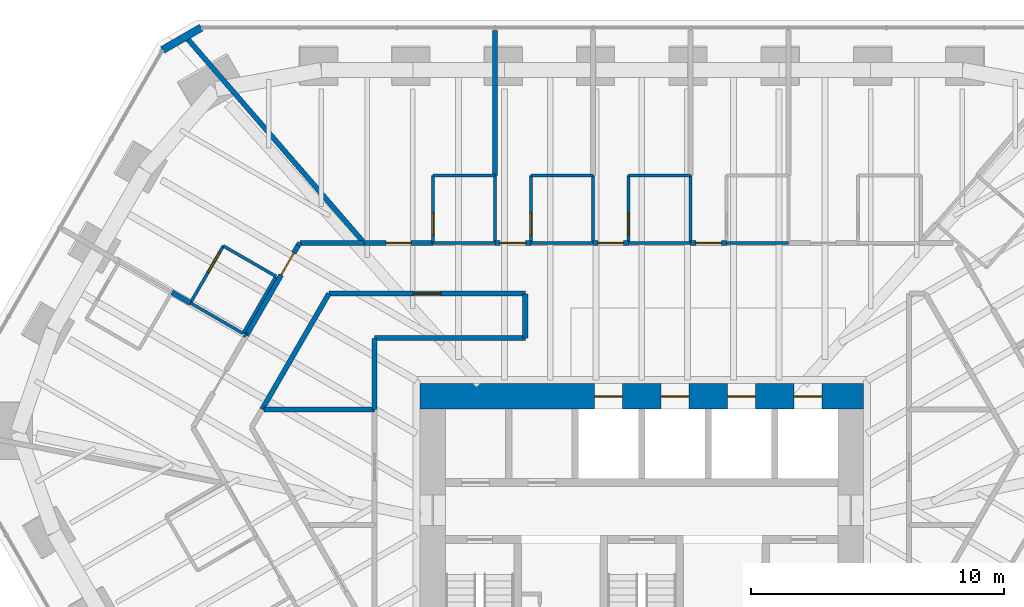
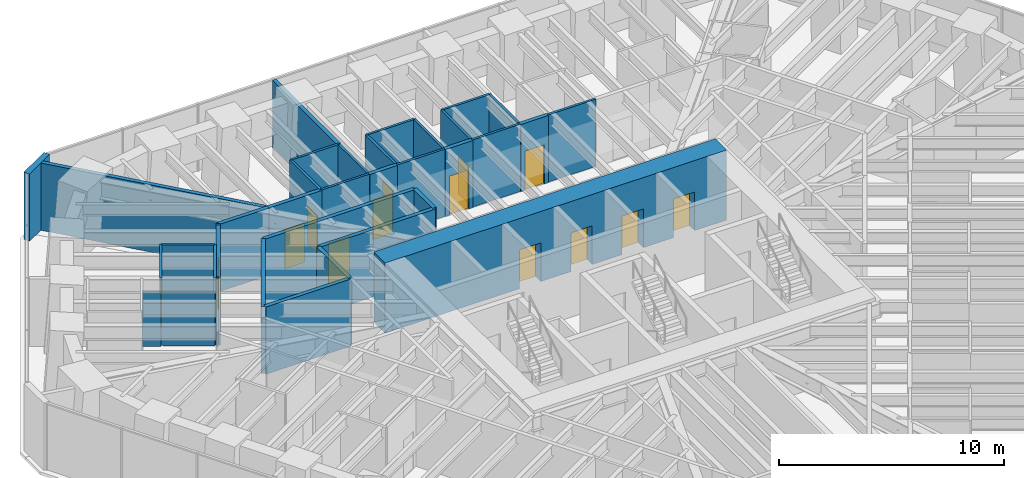
# One storey, part 15 of 17: 36 walls, 14 doors, 14 openings.
"""IFC4 building model written with IfcOpenShell, lengths in metres."""

from ifc_helpers import new_model, si_unit, direction, frame, frame_2d, origin, place, context, subcontext, project, spatial, rectangle, extrude, material, layer, layer_set, type_object, element, fill, save


model = new_model("IFC4")

# Units and contexts
model_context = context("Model", 3, precision=1e-05, world=origin(), true_north=direction((0.0, 1.0)))
body_context = subcontext(model_context, "Body", "Model", "MODEL_VIEW")
ifc_project = project(units=[si_unit("LENGTHUNIT", "METRE"), si_unit("AREAUNIT", "SQUARE_METRE"), si_unit("VOLUMEUNIT", "CUBIC_METRE"), si_unit("PLANEANGLEUNIT", "RADIAN"), si_unit("MASSUNIT", "GRAM", prefix="KILO")], contexts=[model_context])

# Site, building, storey
site_placement = place(None, origin())
site = spatial("IfcSite", under=ifc_project, at=site_placement, CompositionType="ELEMENT")
building_placement = place(site_placement, origin())
building = spatial("IfcBuilding", under=site, at=building_placement, Name="Sandreach Pilgrim Tower", CompositionType="ELEMENT")
storey_placement = place(building_placement, frame((0.0, 0.0, 236.39990234375)))
storey = spatial("IfcBuildingStorey", under=building, at=storey_placement, Name="L59", CompositionType="ELEMENT", Elevation=236.39990234375)

# Wall
ifc_material_1 = material(Name="Moisture-resistant gypsum board on steel studs", Category="steel")
ifc_layer_1 = layer(ifc_material_1, 0.1201171875)
ifc_layer_set_1 = layer_set([ifc_layer_1], Name="Bathroom partition 120")
wall_type_1 = type_object("IfcWallType", Name="Bathroom partition 120", PredefinedType="PARTITIONING", material=ifc_layer_set_1)
wall_1_placement = place(storey_placement, frame((-17.820068359375, 10.2900390625, 0.0), z_axis=(0.0, 0.0, 1.0), x_axis=(0.86531257009, -0.501232636652, 0.0)))
element("IfcWall", 1, at=wall_1_placement, inside=storey, type_object=wall_type_1, Name="Bathroom partition L59-010", PredefinedType="PARTITIONING", context=body_context, shape_type="SweptSolid", body=[
    extrude(rectangle(XDim=2.4013671875, YDim=0.1201171875, at=frame_2d((1.20068359375, 0.0))), origin(), (0.0, 0.0, 1.0), 2.878173828125),
])

# Wall, opening, door
wall_2_placement = place(storey_placement, frame((-16.52001953125, 12.5400390625, 0.0), z_axis=(0.0, 0.0, 1.0), x_axis=(-0.500291685314, -0.865856933682, 0.0)))
wall_2 = element("IfcWall", 2, at=wall_2_placement, inside=storey, type_object=wall_type_1, Name="Bathroom partition L59-015", PredefinedType="PARTITIONING", context=body_context, shape_type="SweptSolid", body=[
    extrude(rectangle(XDim=2.5986328125, YDim=0.1201171875, at=frame_2d((1.29931640625, 0.0))), origin(), (0.0, 0.0, 1.0), 3.64013671875),
])
opening_1_placement = place(wall_2_placement, frame((0.300048828125, 0.0, 0.0)))
opening_1 = element("IfcOpeningElement", 3, at=opening_1_placement, cuts=wall_2, Name="Opening D09-19B", PredefinedType="OPENING", context=body_context, shape_type="SweptSolid", body=[
    extrude(rectangle(XDim=0.89990234375, YDim=2.030029296875, at=frame_2d((0.449951171875, 1.01513671875))), frame((0.0, 0.06005859375, 0.0), z_axis=(0.0, -1.0, 0.0), x_axis=(1.0, 0.0, 0.0)), (0.0, 0.0, 1.0), 0.1201171875),
])
ifc_material_2 = material(Name="Timber door, steel frame", Category="steel")
door_type_1 = type_object("IfcDoorType", Name="Bathroom door", OperationType="SINGLE_SWING_LEFT", PredefinedType="DOOR", material=ifc_material_2)
door_1_placement = place(opening_1_placement, origin())
door_1 = element("IfcDoor", 4, at=door_1_placement, inside=storey, type_object=door_type_1, Name="Door 5919B", OperationType="SINGLE_SWING_LEFT", OverallHeight=2.030029296875, OverallWidth=0.89990234375, PredefinedType="DOOR", context=body_context, shape_type="SweptSolid", body=[
    extrude(rectangle(XDim=0.89990234375, YDim=2.030029296875, at=frame_2d((0.449951171875, 1.01513671875))), frame((0.0, 0.02490234375, 0.0), z_axis=(0.0, -1.0, 0.0), x_axis=(1.0, 0.0, 0.0)), (0.0, 0.0, 1.0), 0.050048828125),
])
fill(opening_1, door_1)

# Walls
wall_3_placement = place(storey_placement, frame((-15.739990234375, 9.090087890625, 0.0), z_axis=(0.0, 0.0, 1.0), x_axis=(0.500291685314, 0.865856933682, 0.0)))
element("IfcWall", 5, at=wall_3_placement, inside=storey, type_object=wall_type_1, Name="Bathroom partition L59-019", PredefinedType="PARTITIONING", context=body_context, shape_type="SweptSolid", body=[
    extrude(rectangle(XDim=2.5986328125, YDim=0.1201171875, at=frame_2d((1.29931640625, 0.0))), origin(), (0.0, 0.0, 1.0), 3.64013671875),
])
wall_4_placement = place(storey_placement, frame((-14.43994140625, 11.340087890625, 0.0), z_axis=(0.0, 0.0, 1.0), x_axis=(-0.866202511239, 0.499693115345, 0.0)))
element("IfcWall", 6, at=wall_4_placement, inside=storey, type_object=wall_type_1, Name="Bathroom partition L59-028", PredefinedType="PARTITIONING", context=body_context, shape_type="SweptSolid", body=[
    extrude(rectangle(XDim=2.4013671875, YDim=0.1201171875, at=frame_2d((1.20068359375, 0.0))), origin(), (0.0, 0.0, 1.0), 3.64013671875),
])

# Wall, opening, door
wall_5_placement = place(storey_placement, frame((-8.25, 15.330078125, 0.0), z_axis=(0.0, 0.0, 1.0), x_axis=(0.0, -1.0, 0.0)))
wall_5 = element("IfcWall", 7, at=wall_5_placement, inside=storey, type_object=wall_type_1, Name="Bathroom partition L59-046", PredefinedType="PARTITIONING", context=body_context, shape_type="SweptSolid", body=[
    extrude(rectangle(XDim=2.670166015625, YDim=0.1201171875, at=frame_2d((1.3349609375, 0.0))), origin(), (0.0, 0.0, 1.0), 3.64013671875),
])
opening_2_placement = place(wall_5_placement, frame((1.469970703125, 0.0, 0.0)))
opening_2 = element("IfcOpeningElement", 8, at=opening_2_placement, cuts=wall_5, Name="Opening D09-01B", PredefinedType="OPENING", context=body_context, shape_type="SweptSolid", body=[
    extrude(rectangle(XDim=0.89990234375, YDim=2.030029296875, at=frame_2d((0.449951171875, 1.01513671875))), frame((0.0, 0.06005859375, 0.0), z_axis=(0.0, -1.0, 0.0), x_axis=(1.0, 0.0, 0.0)), (0.0, 0.0, 1.0), 0.1201171875),
])
door_2_placement = place(opening_2_placement, origin())
door_2 = element("IfcDoor", 9, at=door_2_placement, inside=storey, type_object=door_type_1, Name="Door 5901B", OperationType="SINGLE_SWING_RIGHT", OverallHeight=2.030029296875, OverallWidth=0.89990234375, PredefinedType="DOOR", context=body_context, shape_type="SweptSolid", body=[
    extrude(rectangle(XDim=0.89990234375, YDim=2.030029296875, at=frame_2d((0.449951171875, 1.01513671875))), frame((0.0, 0.02490234375, 0.0), z_axis=(0.0, -1.0, 0.0), x_axis=(1.0, 0.0, 0.0)), (0.0, 0.0, 1.0), 0.050048828125),
])
fill(opening_2, door_2)

# Walls
for number, where, z_axis, x_axis, name in (
    (10, (-5.800048828125, 12.659912109375, 0.0), (0.0, 0.0, 1.0), (-1.0, 0.0, 0.0), "Bathroom partition L59-049"),
    (11, (-5.800048828125, 15.330078125, 0.0), (0.0, 0.0, 1.0), (-1.0, 0.0, 0.0), "Bathroom partition L59-050"),
):
    element("IfcWall", number, at=place(storey_placement, frame(where, z_axis=z_axis, x_axis=x_axis)), inside=storey, type_object=wall_type_1, Name=name, PredefinedType="PARTITIONING", context=body_context, shape_type="SweptSolid", body=[
        extrude(rectangle(XDim=2.449951171875, YDim=0.1201171875, at=frame_2d((1.22509765625, 0.0))), origin(), (0.0, 0.0, 1.0), 3.64013671875),
    ])
wall_6_placement = place(storey_placement, frame((-5.800048828125, 15.330078125, 0.0), z_axis=(0.0, 0.0, 1.0), x_axis=(0.0, -1.0, 0.0)))
element("IfcWall", 12, at=wall_6_placement, inside=storey, type_object=wall_type_1, Name="Bathroom partition L59-051", PredefinedType="PARTITIONING", context=body_context, shape_type="SweptSolid", body=[
    extrude(rectangle(XDim=2.670166015625, YDim=0.1201171875, at=frame_2d((1.3349609375, 0.0))), origin(), (0.0, 0.0, 1.0), 3.64013671875),
])

# Wall, opening, door
wall_7_placement = place(storey_placement, frame((-4.3798828125, 15.330078125, 0.0), z_axis=(0.0, 0.0, 1.0), x_axis=(0.0, -1.0, 0.0)))
wall_7 = element("IfcWall", 13, at=wall_7_placement, inside=storey, type_object=wall_type_1, Name="Bathroom partition L59-057", PredefinedType="PARTITIONING", context=body_context, shape_type="SweptSolid", body=[
    extrude(rectangle(XDim=2.670166015625, YDim=0.1201171875, at=frame_2d((1.3349609375, 0.0))), origin(), (0.0, 0.0, 1.0), 3.64013671875),
])
opening_3_placement = place(wall_7_placement, frame((1.469970703125, 0.0, 0.0)))
opening_3 = element("IfcOpeningElement", 14, at=opening_3_placement, cuts=wall_7, Name="Opening D09-02B", PredefinedType="OPENING", context=body_context, shape_type="SweptSolid", body=[
    extrude(rectangle(XDim=0.89990234375, YDim=2.030029296875, at=frame_2d((0.449951171875, 1.01513671875))), frame((0.0, 0.06005859375, 0.0), z_axis=(0.0, -1.0, 0.0), x_axis=(1.0, 0.0, 0.0)), (0.0, 0.0, 1.0), 0.1201171875),
])
door_3_placement = place(opening_3_placement, origin())
door_3 = element("IfcDoor", 15, at=door_3_placement, inside=storey, type_object=door_type_1, Name="Door 5902B", OperationType="SINGLE_SWING_RIGHT", OverallHeight=2.030029296875, OverallWidth=0.89990234375, PredefinedType="DOOR", context=body_context, shape_type="SweptSolid", body=[
    extrude(rectangle(XDim=0.89990234375, YDim=2.030029296875, at=frame_2d((0.449951171875, 1.01513671875))), frame((0.0, 0.02490234375, 0.0), z_axis=(0.0, -1.0, 0.0), x_axis=(1.0, 0.0, 0.0)), (0.0, 0.0, 1.0), 0.050048828125),
])
fill(opening_3, door_3)

# Walls
for number, where, z_axis, x_axis, name in (
    (16, (-1.929931640625, 12.659912109375, 0.0), (0.0, 0.0, 1.0), (-1.0, 0.0, 0.0), "Bathroom partition L59-064"),
    (17, (-1.929931640625, 15.330078125, 0.0), (0.0, 0.0, 1.0), (-1.0, 0.0, 0.0), "Bathroom partition L59-065"),
):
    element("IfcWall", number, at=place(storey_placement, frame(where, z_axis=z_axis, x_axis=x_axis)), inside=storey, type_object=wall_type_1, Name=name, PredefinedType="PARTITIONING", context=body_context, shape_type="SweptSolid", body=[
        extrude(rectangle(XDim=2.449951171875, YDim=0.1201171875, at=frame_2d((1.22509765625, 0.0))), origin(), (0.0, 0.0, 1.0), 3.64013671875),
    ])
wall_8_placement = place(storey_placement, frame((-1.929931640625, 15.330078125, 0.0), z_axis=(0.0, 0.0, 1.0), x_axis=(0.0, -1.0, 0.0)))
element("IfcWall", 18, at=wall_8_placement, inside=storey, type_object=wall_type_1, Name="Bathroom partition L59-066", PredefinedType="PARTITIONING", context=body_context, shape_type="SweptSolid", body=[
    extrude(rectangle(XDim=2.670166015625, YDim=0.1201171875, at=frame_2d((1.3349609375, 0.0))), origin(), (0.0, 0.0, 1.0), 3.64013671875),
])

# Wall, opening, door
wall_9_placement = place(storey_placement, frame((-0.52001953125, 15.330078125, 0.0), z_axis=(0.0, 0.0, 1.0), x_axis=(0.0, -1.0, 0.0)))
wall_9 = element("IfcWall", 19, at=wall_9_placement, inside=storey, type_object=wall_type_1, Name="Bathroom partition L59-071", PredefinedType="PARTITIONING", context=body_context, shape_type="SweptSolid", body=[
    extrude(rectangle(XDim=2.670166015625, YDim=0.1201171875, at=frame_2d((1.3349609375, 0.0))), origin(), (0.0, 0.0, 1.0), 3.64013671875),
])
opening_4_placement = place(wall_9_placement, frame((1.469970703125, 0.0, 0.0)))
opening_4 = element("IfcOpeningElement", 20, at=opening_4_placement, cuts=wall_9, Name="Opening D09-03B", PredefinedType="OPENING", context=body_context, shape_type="SweptSolid", body=[
    extrude(rectangle(XDim=0.89990234375, YDim=2.030029296875, at=frame_2d((0.449951171875, 1.01513671875))), frame((0.0, 0.06005859375, 0.0), z_axis=(0.0, -1.0, 0.0), x_axis=(1.0, 0.0, 0.0)), (0.0, 0.0, 1.0), 0.1201171875),
])
door_4_placement = place(opening_4_placement, origin())
door_4 = element("IfcDoor", 21, at=door_4_placement, inside=storey, type_object=door_type_1, Name="Door 5903B", OperationType="SINGLE_SWING_RIGHT", OverallHeight=2.030029296875, OverallWidth=0.89990234375, PredefinedType="DOOR", context=body_context, shape_type="SweptSolid", body=[
    extrude(rectangle(XDim=0.89990234375, YDim=2.030029296875, at=frame_2d((0.449951171875, 1.01513671875))), frame((0.0, 0.02490234375, 0.0), z_axis=(0.0, -1.0, 0.0), x_axis=(1.0, 0.0, 0.0)), (0.0, 0.0, 1.0), 0.050048828125),
])
fill(opening_4, door_4)

# Walls
for number, where, z_axis, x_axis, name in (
    (22, (1.929931640625, 12.659912109375, 0.0), (0.0, 0.0, 1.0), (-1.0, 0.0, 0.0), "Bathroom partition L59-079"),
    (23, (1.929931640625, 15.330078125, 0.0), (0.0, 0.0, 1.0), (-1.0, 0.0, 0.0), "Bathroom partition L59-080"),
):
    element("IfcWall", number, at=place(storey_placement, frame(where, z_axis=z_axis, x_axis=x_axis)), inside=storey, type_object=wall_type_1, Name=name, PredefinedType="PARTITIONING", context=body_context, shape_type="SweptSolid", body=[
        extrude(rectangle(XDim=2.449951171875, YDim=0.1201171875, at=frame_2d((1.22509765625, 0.0))), origin(), (0.0, 0.0, 1.0), 3.64013671875),
    ])
wall_10_placement = place(storey_placement, frame((1.929931640625, 15.330078125, 0.0), z_axis=(0.0, 0.0, 1.0), x_axis=(0.0, -1.0, 0.0)))
element("IfcWall", 24, at=wall_10_placement, inside=storey, type_object=wall_type_1, Name="Bathroom partition L59-081", PredefinedType="PARTITIONING", context=body_context, shape_type="SweptSolid", body=[
    extrude(rectangle(XDim=2.670166015625, YDim=0.1201171875, at=frame_2d((1.3349609375, 0.0))), origin(), (0.0, 0.0, 1.0), 3.64013671875),
])
wall_11_placement = place(storey_placement, frame((5.800048828125, 12.659912109375, 0.0), z_axis=(0.0, 0.0, 1.0), x_axis=(-1.0, 0.0, 0.0)))
element("IfcWall", 25, at=wall_11_placement, inside=storey, type_object=wall_type_1, Name="Bathroom partition L59-092", PredefinedType="PARTITIONING", context=body_context, shape_type="SweptSolid", body=[
    extrude(rectangle(XDim=2.449951171875, YDim=0.1201171875, at=frame_2d((1.22509765625, 0.0))), origin(), (0.0, 0.0, 1.0), 3.64013671875),
])

# Wall, openings, doors
ifc_material_3 = material(Name="Concrete 10000 psi", Category="concrete")
ifc_layer_2 = layer(ifc_material_3, 1.0)
ifc_layer_set_2 = layer_set([ifc_layer_2], Name="Core wall 1000")
wall_type_2 = type_object("IfcWallType", Name="Core wall 1000", PredefinedType="SHEAR", material=ifc_layer_set_2)
wall_12_placement = place(storey_placement, frame((-8.75, 6.60009765625, 0.0), z_axis=(0.0, 0.0, 1.0), x_axis=(1.0, 0.0, 0.0)))
wall_12 = element("IfcWall", 26, at=wall_12_placement, inside=storey, type_object=wall_type_2, Name="Core wall N L59", PredefinedType="SHEAR", context=body_context, shape_type="SweptSolid", body=[
    extrude(rectangle(XDim=17.5, YDim=1.0, at=frame_2d((8.75, 0.0))), origin(), (0.0, 0.0, 1.0), 3.800048828125),
])
opening_5_placement = place(wall_12_placement, frame((6.887451171875, 0.0, 0.0)))
opening_5 = element("IfcOpeningElement", 27, at=opening_5_placement, cuts=wall_12, Name="Opening LD11", PredefinedType="OPENING", context=body_context, shape_type="SweptSolid", body=[
    extrude(rectangle(XDim=1.10009765625, YDim=2.10009765625, at=frame_2d((0.550048828125, 1.050048828125))), frame((0.0, 0.5, 0.0), z_axis=(0.0, -1.0, 0.0), x_axis=(1.0, 0.0, 0.0)), (0.0, 0.0, 1.0), 1.0),
])
opening_6_placement = place(wall_12_placement, frame((9.512451171875, 0.0, 0.0)))
opening_6 = element("IfcOpeningElement", 28, at=opening_6_placement, cuts=wall_12, Name="Opening LD11", PredefinedType="OPENING", context=body_context, shape_type="SweptSolid", body=[
    extrude(rectangle(XDim=1.10009765625, YDim=2.10009765625, at=frame_2d((0.550048828125, 1.050048828125))), frame((0.0, 0.5, 0.0), z_axis=(0.0, -1.0, 0.0), x_axis=(1.0, 0.0, 0.0)), (0.0, 0.0, 1.0), 1.0),
])
opening_7_placement = place(wall_12_placement, frame((12.137451171875, 0.0, 0.0)))
opening_7 = element("IfcOpeningElement", 29, at=opening_7_placement, cuts=wall_12, Name="Opening LD11", PredefinedType="OPENING", context=body_context, shape_type="SweptSolid", body=[
    extrude(rectangle(XDim=1.10009765625, YDim=2.10009765625, at=frame_2d((0.550048828125, 1.050048828125))), frame((0.0, 0.5, 0.0), z_axis=(0.0, -1.0, 0.0), x_axis=(1.0, 0.0, 0.0)), (0.0, 0.0, 1.0), 1.0),
])
opening_8_placement = place(wall_12_placement, frame((14.762451171875, 0.0, 0.0)))
opening_8 = element("IfcOpeningElement", 30, at=opening_8_placement, cuts=wall_12, Name="Opening LD11", PredefinedType="OPENING", context=body_context, shape_type="SweptSolid", body=[
    extrude(rectangle(XDim=1.10009765625, YDim=2.10009765625, at=frame_2d((0.550048828125, 1.050048828125))), frame((0.0, 0.5, 0.0), z_axis=(0.0, -1.0, 0.0), x_axis=(1.0, 0.0, 0.0)), (0.0, 0.0, 1.0), 1.0),
])
ifc_material_4 = material(Name="Steel door and frame", Category="steel")
door_type_2 = type_object("IfcDoorType", Name="Lift landing door", OperationType="DOUBLE_DOOR_SLIDING", PredefinedType="DOOR", material=ifc_material_4)
door_5_placement = place(opening_5_placement, origin())
door_5 = element("IfcDoor", 31, at=door_5_placement, inside=storey, type_object=door_type_2, Name="Lift landing door Z3A L59", OperationType="DOUBLE_DOOR_SLIDING", OverallHeight=2.10009765625, OverallWidth=1.10009765625, PredefinedType="DOOR", context=body_context, shape_type="SweptSolid", body=[
    extrude(rectangle(XDim=1.10009765625, YDim=2.10009765625, at=frame_2d((0.550048828125, 1.050048828125))), frame((0.0, 0.02490234375, 0.0), z_axis=(0.0, -1.0, 0.0), x_axis=(1.0, 0.0, 0.0)), (0.0, 0.0, 1.0), 0.050048828125),
])
fill(opening_5, door_5)
door_6_placement = place(opening_6_placement, origin())
door_6 = element("IfcDoor", 32, at=door_6_placement, inside=storey, type_object=door_type_2, Name="Lift landing door Z3B L59", OperationType="DOUBLE_DOOR_SLIDING", OverallHeight=2.10009765625, OverallWidth=1.10009765625, PredefinedType="DOOR", context=body_context, shape_type="SweptSolid", body=[
    extrude(rectangle(XDim=1.10009765625, YDim=2.10009765625, at=frame_2d((0.550048828125, 1.050048828125))), frame((0.0, 0.02490234375, 0.0), z_axis=(0.0, -1.0, 0.0), x_axis=(1.0, 0.0, 0.0)), (0.0, 0.0, 1.0), 0.050048828125),
])
fill(opening_6, door_6)
door_7_placement = place(opening_7_placement, origin())
door_7 = element("IfcDoor", 33, at=door_7_placement, inside=storey, type_object=door_type_2, Name="Lift landing door Z3C L59", OperationType="DOUBLE_DOOR_SLIDING", OverallHeight=2.10009765625, OverallWidth=1.10009765625, PredefinedType="DOOR", context=body_context, shape_type="SweptSolid", body=[
    extrude(rectangle(XDim=1.10009765625, YDim=2.10009765625, at=frame_2d((0.550048828125, 1.050048828125))), frame((0.0, 0.02490234375, 0.0), z_axis=(0.0, -1.0, 0.0), x_axis=(1.0, 0.0, 0.0)), (0.0, 0.0, 1.0), 0.050048828125),
])
fill(opening_7, door_7)
door_8_placement = place(opening_8_placement, origin())
door_8 = element("IfcDoor", 34, at=door_8_placement, inside=storey, type_object=door_type_2, Name="Lift landing door Z3D L59", OperationType="DOUBLE_DOOR_SLIDING", OverallHeight=2.10009765625, OverallWidth=1.10009765625, PredefinedType="DOOR", context=body_context, shape_type="SweptSolid", body=[
    extrude(rectangle(XDim=1.10009765625, YDim=2.10009765625, at=frame_2d((0.550048828125, 1.050048828125))), frame((0.0, 0.02490234375, 0.0), z_axis=(0.0, -1.0, 0.0), x_axis=(1.0, 0.0, 0.0)), (0.0, 0.0, 1.0), 0.050048828125),
])
fill(opening_8, door_8)

# Wall, opening, door
ifc_material_5 = material(Name="Gypsum board on steel studs, two layers each side", Category="steel")
ifc_layer_3 = layer(ifc_material_5, 0.199951171875)
ifc_layer_set_3 = layer_set([ifc_layer_3], Name="Corridor wall 200")
wall_type_3 = type_object("IfcWallType", Name="Corridor wall 200", PredefinedType="PARTITIONING", material=ifc_layer_set_3)
wall_13_placement = place(storey_placement, frame((-15.610107421875, 9.010009765625, 0.0), z_axis=(0.0, 0.0, 1.0), x_axis=(0.499301665038, 0.866428212428, 0.0)))
wall_13 = element("IfcWall", 35, at=wall_13_placement, inside=storey, type_object=wall_type_3, Name="Corridor wall L59-021", PredefinedType="PARTITIONING", context=body_context, shape_type="SweptSolid", body=[
    extrude(rectangle(XDim=4.085693359375, YDim=0.199951171875, at=frame_2d((2.04296875, 0.0))), origin(), (0.0, 0.0, 1.0), 3.64013671875),
])
opening_9_placement = place(wall_13_placement, frame((2.75, 0.0, 0.0)))
opening_9 = element("IfcOpeningElement", 36, at=opening_9_placement, cuts=wall_13, Name="Opening D10-19", PredefinedType="OPENING", context=body_context, shape_type="SweptSolid", body=[
    extrude(rectangle(XDim=1.0, YDim=2.1298828125, at=frame_2d((0.5, 1.06494140625))), frame((0.0, 0.10009765625, 0.0), z_axis=(0.0, -1.0, 0.0), x_axis=(1.0, 0.0, 0.0)), (0.0, 0.0, 1.0), 0.199951171875),
])
ifc_material_6 = material(Name="Steel door and frame", Category="steel")
door_type_3 = type_object("IfcDoorType", Name="Guest room entry door", OperationType="SINGLE_SWING_LEFT", PredefinedType="DOOR", material=ifc_material_6)
door_9_placement = place(opening_9_placement, origin())
door_9 = element("IfcDoor", 37, at=door_9_placement, inside=storey, type_object=door_type_3, Name="Door 5919", OperationType="SINGLE_SWING_RIGHT", OverallHeight=2.1298828125, OverallWidth=1.0, PredefinedType="DOOR", context=body_context, shape_type="SweptSolid", body=[
    extrude(rectangle(XDim=1.0, YDim=2.1298828125, at=frame_2d((0.5, 1.06494140625))), frame((0.0, 0.02490234375, 0.0), z_axis=(0.0, -1.0, 0.0), x_axis=(1.0, 0.0, 0.0)), (0.0, 0.0, 1.0), 0.050048828125),
])
fill(opening_9, door_9)

# Walls
wall_14_placement = place(storey_placement, frame((-14.989990234375, 6.090087890625, 0.0), z_axis=(0.0, 0.0, 1.0), x_axis=(0.500213626659, 0.86590203124, 0.0)))
element("IfcWall", 38, at=wall_14_placement, inside=storey, type_object=wall_type_3, Name="Corridor wall L59-025", PredefinedType="PARTITIONING", context=body_context, shape_type="SweptSolid", body=[
    extrude(rectangle(XDim=5.277587890625, YDim=0.199951171875, at=frame_2d((2.638671875, 0.0))), origin(), (0.0, 0.0, 1.0), 3.64013671875),
])
wall_15_placement = place(storey_placement, frame((-13.5, 12.659912109375, 0.0), z_axis=(0.0, 0.0, 1.0), x_axis=(-0.537723852201, -0.843121022614, 0.0)))
element("IfcWall", 39, at=wall_15_placement, inside=storey, type_object=wall_type_3, Name="Corridor wall L59-030", PredefinedType="PARTITIONING", context=body_context, shape_type="SweptSolid", body=[
    extrude(rectangle(XDim=0.13037109375, YDim=0.199951171875, at=frame_2d((0.065185546875, 0.0))), origin(), (0.0, 0.0, 1.0), 3.64013671875),
])

# Wall, opening, door
wall_16_placement = place(storey_placement, frame((-12.35009765625, 10.659912109375, 0.0), z_axis=(0.0, 0.0, 1.0), x_axis=(1.0, 0.0, 0.0)))
wall_16 = element("IfcWall", 40, at=wall_16_placement, inside=storey, type_object=wall_type_3, Name="Corridor wall L59-033", PredefinedType="PARTITIONING", context=body_context, shape_type="SweptSolid", body=[
    extrude(rectangle(XDim=7.75, YDim=0.199951171875, at=frame_2d((3.875, 0.0))), origin(), (0.0, 0.0, 1.0), 3.64013671875),
])
opening_10_placement = place(wall_16_placement, frame((3.324951171875, 0.0, 0.0)))
opening_10 = element("IfcOpeningElement", 41, at=opening_10_placement, cuts=wall_16, Name="Opening D11H-M03", PredefinedType="OPENING", context=body_context, shape_type="SweptSolid", body=[
    extrude(rectangle(XDim=1.10009765625, YDim=2.199951171875, at=frame_2d((0.550048828125, 1.10009765625))), frame((0.0, 0.10009765625, 0.0), z_axis=(0.0, -1.0, 0.0), x_axis=(1.0, 0.0, 0.0)), (0.0, 0.0, 1.0), 0.199951171875),
])
ifc_material_7 = material(Name="Steel door and frame", Category="steel")
door_type_4 = type_object("IfcDoorType", Name="Back of house door", OperationType="SINGLE_SWING_LEFT", PredefinedType="DOOR", material=ifc_material_7)
door_10_placement = place(opening_10_placement, origin())
door_10 = element("IfcDoor", 42, at=door_10_placement, inside=storey, type_object=door_type_4, Name="Door 59M03", OperationType="SINGLE_SWING_LEFT", OverallHeight=2.199951171875, OverallWidth=1.10009765625, PredefinedType="DOOR", context=body_context, shape_type="SweptSolid", body=[
    extrude(rectangle(XDim=1.10009765625, YDim=2.199951171875, at=frame_2d((0.550048828125, 1.10009765625))), frame((0.0, 0.02490234375, 0.0), z_axis=(0.0, -1.0, 0.0), x_axis=(1.0, 0.0, 0.0)), (0.0, 0.0, 1.0), 0.050048828125),
])
fill(opening_10, door_10)

# Walls
wall_17_placement = place(storey_placement, frame((-10.9599609375, 12.659912109375, 0.0), z_axis=(0.0, 0.0, 1.0), x_axis=(-1.0, 0.0, 0.0)))
element("IfcWall", 43, at=wall_17_placement, inside=storey, type_object=wall_type_3, Name="Corridor wall L59-035", PredefinedType="PARTITIONING", context=body_context, shape_type="SweptSolid", body=[
    extrude(rectangle(XDim=2.5400390625, YDim=0.199951171875, at=frame_2d((1.27001953125, 0.0))), origin(), (0.0, 0.0, 1.0), 3.64013671875),
])
wall_18_placement = place(storey_placement, frame((-10.550048828125, 8.889892578125, 0.0), z_axis=(0.0, 0.0, 1.0), x_axis=(0.0, -1.0, 0.0)))
element("IfcWall", 44, at=wall_18_placement, inside=storey, type_object=wall_type_3, Name="Corridor wall L59-040", PredefinedType="PARTITIONING", context=body_context, shape_type="SweptSolid", body=[
    extrude(rectangle(XDim=2.7998046875, YDim=0.199951171875, at=frame_2d((1.39990234375, 0.0))), origin(), (0.0, 0.0, 1.0), 3.64013671875),
])

# Wall, opening, door
wall_19_placement = place(storey_placement, frame((-8.25, 12.659912109375, 0.0), z_axis=(0.0, 0.0, 1.0), x_axis=(-1.0, 0.0, 0.0)))
wall_19 = element("IfcWall", 45, at=wall_19_placement, inside=storey, type_object=wall_type_3, Name="Corridor wall L59-045", PredefinedType="PARTITIONING", context=body_context, shape_type="SweptSolid", body=[
    extrude(rectangle(XDim=2.7099609375, YDim=0.199951171875, at=frame_2d((1.35498046875, 0.0))), origin(), (0.0, 0.0, 1.0), 3.64013671875),
])
opening_11_placement = place(wall_19_placement, frame((0.85498046875, 0.0, 0.0)))
opening_11 = element("IfcOpeningElement", 46, at=opening_11_placement, cuts=wall_19, Name="Opening D10-01", PredefinedType="OPENING", context=body_context, shape_type="SweptSolid", body=[
    extrude(rectangle(XDim=1.0, YDim=2.1298828125, at=frame_2d((0.5, 1.06494140625))), frame((0.0, 0.10009765625, 0.0), z_axis=(0.0, -1.0, 0.0), x_axis=(1.0, 0.0, 0.0)), (0.0, 0.0, 1.0), 0.199951171875),
])
door_11_placement = place(opening_11_placement, origin())
door_11 = element("IfcDoor", 47, at=door_11_placement, inside=storey, type_object=door_type_3, Name="Door 5901", OperationType="SINGLE_SWING_LEFT", OverallHeight=2.1298828125, OverallWidth=1.0, PredefinedType="DOOR", context=body_context, shape_type="SweptSolid", body=[
    extrude(rectangle(XDim=1.0, YDim=2.1298828125, at=frame_2d((0.5, 1.06494140625))), frame((0.0, 0.02490234375, 0.0), z_axis=(0.0, -1.0, 0.0), x_axis=(1.0, 0.0, 0.0)), (0.0, 0.0, 1.0), 0.050048828125),
])
fill(opening_11, door_11)

# Walls
wall_20_placement = place(storey_placement, frame((-4.60009765625, 8.89990234375, 0.0), z_axis=(0.0, 0.0, 1.0), x_axis=(-1.0, 0.0, 0.0)))
element("IfcWall", 48, at=wall_20_placement, inside=storey, type_object=wall_type_3, Name="Corridor wall L59-054", PredefinedType="PARTITIONING", context=body_context, shape_type="SweptSolid", body=[
    extrude(rectangle(XDim=5.949951171875, YDim=0.199951171875, at=frame_2d((2.97509765625, 0.0))), origin(), (0.0, 0.0, 1.0), 3.64013671875),
])
wall_21_placement = place(storey_placement, frame((-4.60009765625, 10.64990234375, 0.0), z_axis=(0.0, 0.0, 1.0), x_axis=(0.0, -1.0, 0.0)))
element("IfcWall", 49, at=wall_21_placement, inside=storey, type_object=wall_type_3, Name="Corridor wall L59-055", PredefinedType="PARTITIONING", context=body_context, shape_type="SweptSolid", body=[
    extrude(rectangle(XDim=1.739990234375, YDim=0.199951171875, at=frame_2d((0.8701171875, 0.0))), origin(), (0.0, 0.0, 1.0), 3.64013671875),
])

# Wall, opening, door
wall_22_placement = place(storey_placement, frame((-4.3798828125, 12.659912109375, 0.0), z_axis=(0.0, 0.0, 1.0), x_axis=(-1.0, 0.0, 0.0)))
wall_22 = element("IfcWall", 50, at=wall_22_placement, inside=storey, type_object=wall_type_3, Name="Corridor wall L59-056", PredefinedType="PARTITIONING", context=body_context, shape_type="SweptSolid", body=[
    extrude(rectangle(XDim=1.420166015625, YDim=0.199951171875, at=frame_2d((0.7099609375, 0.0))), origin(), (0.0, 0.0, 1.0), 3.64013671875),
])
opening_12_placement = place(wall_22_placement, frame((0.2099609375, 0.0, 0.0)))
opening_12 = element("IfcOpeningElement", 51, at=opening_12_placement, cuts=wall_22, Name="Opening D10-02", PredefinedType="OPENING", context=body_context, shape_type="SweptSolid", body=[
    extrude(rectangle(XDim=1.0, YDim=2.1298828125, at=frame_2d((0.5, 1.06494140625))), frame((0.0, 0.10009765625, 0.0), z_axis=(0.0, -1.0, 0.0), x_axis=(1.0, 0.0, 0.0)), (0.0, 0.0, 1.0), 0.199951171875),
])
door_12_placement = place(opening_12_placement, origin())
door_12 = element("IfcDoor", 52, at=door_12_placement, inside=storey, type_object=door_type_3, Name="Door 5902", OperationType="SINGLE_SWING_LEFT", OverallHeight=2.1298828125, OverallWidth=1.0, PredefinedType="DOOR", context=body_context, shape_type="SweptSolid", body=[
    extrude(rectangle(XDim=1.0, YDim=2.1298828125, at=frame_2d((0.5, 1.06494140625))), frame((0.0, 0.02490234375, 0.0), z_axis=(0.0, -1.0, 0.0), x_axis=(1.0, 0.0, 0.0)), (0.0, 0.0, 1.0), 0.050048828125),
])
fill(opening_12, door_12)

wall_23_placement = place(storey_placement, frame((-0.52001953125, 12.659912109375, 0.0), z_axis=(0.0, 0.0, 1.0), x_axis=(-1.0, 0.0, 0.0)))
wall_23 = element("IfcWall", 53, at=wall_23_placement, inside=storey, type_object=wall_type_3, Name="Corridor wall L59-070", PredefinedType="PARTITIONING", context=body_context, shape_type="SweptSolid", body=[
    extrude(rectangle(XDim=1.409912109375, YDim=0.199951171875, at=frame_2d((0.705078125, 0.0))), origin(), (0.0, 0.0, 1.0), 3.64013671875),
])
opening_13_placement = place(wall_23_placement, frame((0.205078125, 0.0, 0.0)))
opening_13 = element("IfcOpeningElement", 54, at=opening_13_placement, cuts=wall_23, Name="Opening D10-03", PredefinedType="OPENING", context=body_context, shape_type="SweptSolid", body=[
    extrude(rectangle(XDim=1.0, YDim=2.1298828125, at=frame_2d((0.5, 1.06494140625))), frame((0.0, 0.10009765625, 0.0), z_axis=(0.0, -1.0, 0.0), x_axis=(1.0, 0.0, 0.0)), (0.0, 0.0, 1.0), 0.199951171875),
])
door_13_placement = place(opening_13_placement, origin())
door_13 = element("IfcDoor", 55, at=door_13_placement, inside=storey, type_object=door_type_3, Name="Door 5903", OperationType="SINGLE_SWING_LEFT", OverallHeight=2.1298828125, OverallWidth=1.0, PredefinedType="DOOR", context=body_context, shape_type="SweptSolid", body=[
    extrude(rectangle(XDim=1.0, YDim=2.1298828125, at=frame_2d((0.5, 1.06494140625))), frame((0.0, 0.02490234375, 0.0), z_axis=(0.0, -1.0, 0.0), x_axis=(1.0, 0.0, 0.0)), (0.0, 0.0, 1.0), 0.050048828125),
])
fill(opening_13, door_13)

wall_24_placement = place(storey_placement, frame((3.35009765625, 12.659912109375, 0.0), z_axis=(0.0, 0.0, 1.0), x_axis=(-1.0, 0.0, 0.0)))
wall_24 = element("IfcWall", 56, at=wall_24_placement, inside=storey, type_object=wall_type_3, Name="Corridor wall L59-084", PredefinedType="PARTITIONING", context=body_context, shape_type="SweptSolid", body=[
    extrude(rectangle(XDim=1.420166015625, YDim=0.199951171875, at=frame_2d((0.7099609375, 0.0))), origin(), (0.0, 0.0, 1.0), 3.64013671875),
])
opening_14_placement = place(wall_24_placement, frame((0.2099609375, 0.0, 0.0)))
opening_14 = element("IfcOpeningElement", 57, at=opening_14_placement, cuts=wall_24, Name="Opening D10-04", PredefinedType="OPENING", context=body_context, shape_type="SweptSolid", body=[
    extrude(rectangle(XDim=1.0, YDim=2.1298828125, at=frame_2d((0.5, 1.06494140625))), frame((0.0, 0.10009765625, 0.0), z_axis=(0.0, -1.0, 0.0), x_axis=(1.0, 0.0, 0.0)), (0.0, 0.0, 1.0), 0.199951171875),
])
door_14_placement = place(opening_14_placement, origin())
door_14 = element("IfcDoor", 58, at=door_14_placement, inside=storey, type_object=door_type_3, Name="Door 5904", OperationType="SINGLE_SWING_LEFT", OverallHeight=2.1298828125, OverallWidth=1.0, PredefinedType="DOOR", context=body_context, shape_type="SweptSolid", body=[
    extrude(rectangle(XDim=1.0, YDim=2.1298828125, at=frame_2d((0.5, 1.06494140625))), frame((0.0, 0.02490234375, 0.0), z_axis=(0.0, -1.0, 0.0), x_axis=(1.0, 0.0, 0.0)), (0.0, 0.0, 1.0), 0.050048828125),
])
fill(opening_14, door_14)

# Walls
ifc_material_8 = material(Name="Double steel stud acoustic wall, gypsum board", Category="steel")
ifc_layer_4 = layer(ifc_material_8, 0.199951171875)
ifc_layer_set_4 = layer_set([ifc_layer_4], Name="Party wall 200")
wall_type_4 = type_object("IfcWallType", Name="Party wall 200", PredefinedType="PARTITIONING", material=ifc_layer_set_4)
wall_25_placement = place(storey_placement, frame((-18.550048828125, 10.7099609375, 0.0), z_axis=(0.0, 0.0, 1.0), x_axis=(0.865717170405, -0.500533496247, 0.0)))
element("IfcWall", 59, at=wall_25_placement, inside=storey, type_object=wall_type_4, Name="Party wall L59-009", PredefinedType="PARTITIONING", context=body_context, shape_type="SweptSolid", body=[
    extrude(rectangle(XDim=0.84228515625, YDim=0.199951171875, at=frame_2d((0.421142578125, 0.0))), origin(), (0.0, 0.0, 1.0), 2.878173828125),
])
wall_26_placement = place(storey_placement, frame((-15.685791015625, 9.053955078125, 0.0), z_axis=(0.0, 0.0, 1.0), x_axis=(0.86478894661, -0.502135517387, 0.0)))
element("IfcWall", 60, at=wall_26_placement, inside=storey, type_object=wall_type_4, Name="Party wall L59-020", PredefinedType="PARTITIONING", context=body_context, shape_type="SweptSolid", body=[
    extrude(rectangle(XDim=0.08740234375, YDim=0.199951171875, at=frame_2d((0.043701171875, 0.0))), origin(), (0.0, 0.0, 1.0), 3.64013671875),
])
wall_27_placement = place(storey_placement, frame((-14.9150390625, 6.090087890625, 0.0), z_axis=(0.0, 0.0, 1.0), x_axis=(1.0, 0.0, 0.0)))
element("IfcWall", 61, at=wall_27_placement, inside=storey, type_object=wall_type_4, Name="Party wall L59-027", PredefinedType="PARTITIONING", context=body_context, shape_type="SweptSolid", body=[
    extrude(rectangle(XDim=4.35498046875, YDim=0.199951171875, at=frame_2d((2.177490234375, 0.0))), origin(), (0.0, 0.0, 1.0), 3.64013671875),
])
wall_28_placement = place(storey_placement, frame((-11.025390625, 12.735595703125, 0.0), z_axis=(0.0, 0.0, 1.0), x_axis=(-0.654431245438, 0.756121514702, 0.0)))
element("IfcWall", 62, at=wall_28_placement, inside=storey, type_object=wall_type_4, Name="Party wall L59-034", PredefinedType="PARTITIONING", context=body_context, shape_type="SweptSolid", body=[
    extrude(rectangle(XDim=10.6884765625, YDim=0.199951171875, at=frame_2d((5.34423828125, 0.0))), origin(), (0.0, 0.0, 1.0), 3.64013671875),
])
wall_29_placement = place(storey_placement, frame((-5.800048828125, 21.0400390625, 0.0), z_axis=(0.0, 0.0, 1.0), x_axis=(0.0, -1.0, 0.0)))
element("IfcWall", 63, at=wall_29_placement, inside=storey, type_object=wall_type_4, Name="Party wall L59-052", PredefinedType="PARTITIONING", context=body_context, shape_type="SweptSolid", body=[
    extrude(rectangle(XDim=5.7099609375, YDim=0.199951171875, at=frame_2d((2.85498046875, 0.0))), origin(), (0.0, 0.0, 1.0), 3.64013671875),
])
ifc_material_9 = material(Name="Terracotta rainscreen on concrete", Category="masonry")
ifc_layer_5 = layer(ifc_material_9, 0.300048828125)
ifc_layer_set_5 = layer_set([ifc_layer_5], Name="Terracotta chamfer pier")
wall_type_5 = type_object("IfcWallType", Name="Terracotta chamfer pier", PredefinedType="SOLIDWALL", material=ifc_layer_set_5)
wall_30_placement = place(storey_placement, frame((-18.9228515625, 20.275146484375, 0.0), z_axis=(0.0, 0.0, 1.0), x_axis=(0.866036293601, 0.499981137809, 0.0)))
element("IfcWall", 64, at=wall_30_placement, inside=storey, type_object=wall_type_5, Name="Chamfer pier L59 NW", PredefinedType="SOLIDWALL", context=body_context, shape_type="SweptSolid", body=[
    extrude(rectangle(XDim=1.77001953125, YDim=0.300048828125, at=frame_2d((0.885009765625, 0.0))), origin(), (0.0, 0.0, 1.0), 3.64013671875),
])

save(model, "model.ifc")
